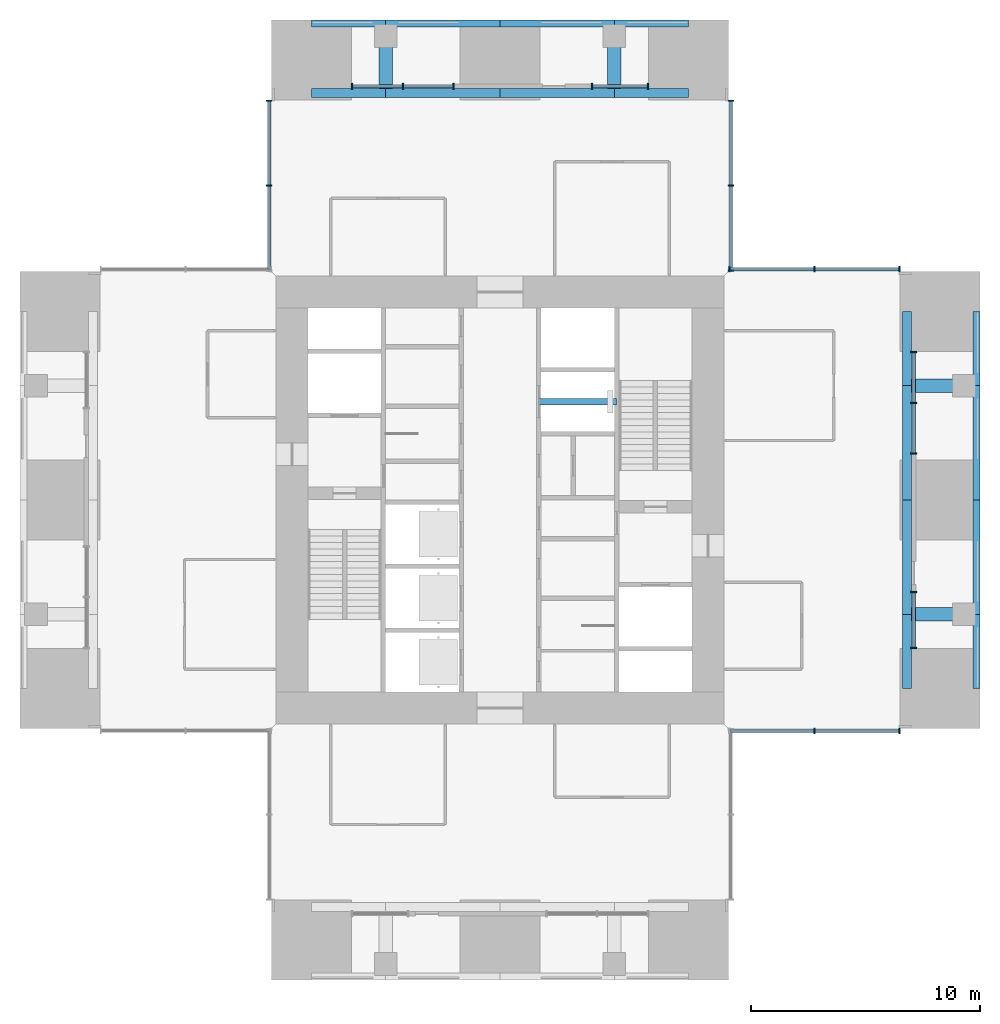
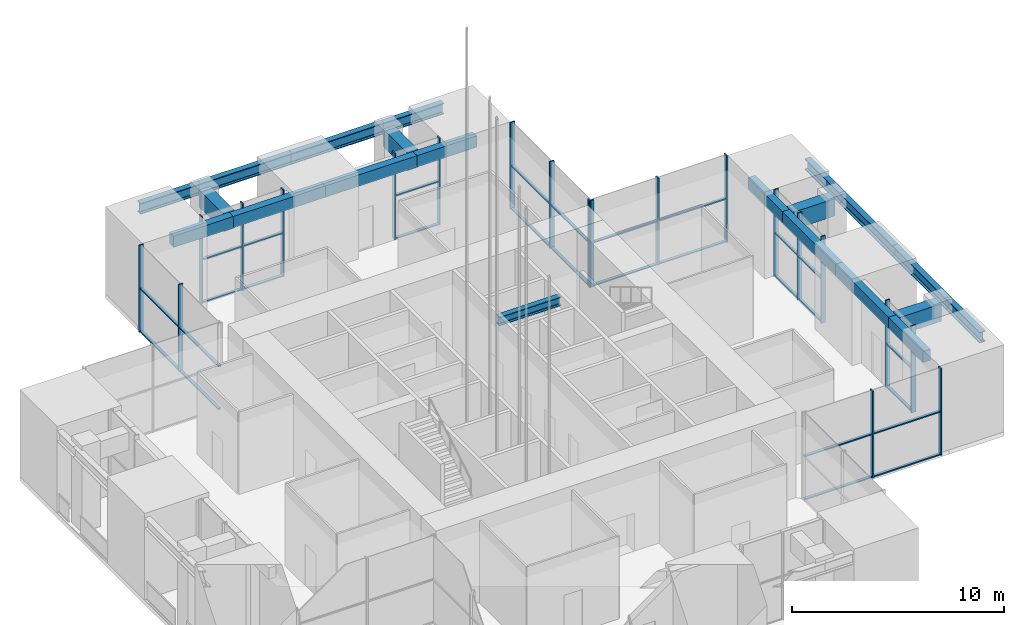
# One storey, part 3 of 17: 48 members, 21 beams, 8 elements without a shape of their own.
"""IFC4 building model written with IfcOpenShell, lengths in metres."""

from ifc_helpers import new_model, si_unit, direction, frame, origin, origin_2d, place, context, subcontext, project, spatial, rectangle, i_section, extrude, material, material_profile, profile_set, type_object, element, aggregate, save


model = new_model("IFC4")

# Units and contexts
model_context = context("Model", 3, precision=1e-05, world=origin(), true_north=direction((0.0, 1.0)))
body_context = subcontext(model_context, "Body", "Model", "MODEL_VIEW")
ifc_project = project(units=[si_unit("LENGTHUNIT", "METRE"), si_unit("AREAUNIT", "SQUARE_METRE"), si_unit("VOLUMEUNIT", "CUBIC_METRE"), si_unit("PLANEANGLEUNIT", "RADIAN"), si_unit("MASSUNIT", "GRAM", prefix="KILO")], contexts=[model_context])

# Site, building, storey
site_placement = place(None, origin())
site = spatial("IfcSite", under=ifc_project, at=site_placement, CompositionType="ELEMENT")
building_placement = place(site_placement, origin())
building = spatial("IfcBuilding", under=site, at=building_placement, Name="Svetlomir Tower", CompositionType="ELEMENT")
storey_placement = place(building_placement, frame((0.0, 0.0, 165.5)))
storey = spatial("IfcBuildingStorey", under=building, at=storey_placement, Name="L39", CompositionType="ELEMENT", Elevation=165.5)

# Curtain wall, members
ifc_material_1 = material(Name="Bronze anodised aluminium curtain wall", Category="aluminium")
curtain_wall_type = type_object("IfcCurtainWallType", Name="CURTAIN WALL CW2 SKY LOBBY", PredefinedType="NOTDEFINED", material=ifc_material_1)
curtain_wall_1_placement = place(storey_placement, origin())
curtain_wall_1 = element("IfcCurtainWall", 1, at=curtain_wall_1_placement, inside=storey, type_object=curtain_wall_type, Name="Curtain wall CW2 L39", PredefinedType="NOTDEFINED")
ifc_material_2 = material(Name="Bronze anodised aluminium", Category="aluminium")
ifc_material_profile_1 = material_profile(ifc_material_2, rectangle(XDim=0.06494140625, YDim=0.25, at=origin_2d()), Name="AL 65x250")
ifc_profile_set_1 = profile_set([ifc_material_profile_1], Name="Bronze anodised aluminium 6063-T6")
member_type_1 = type_object("IfcMemberType", Name="CW2 MULLION 65x250", PredefinedType="MULLION", material=ifc_profile_set_1)
member_1_placement = place(storey_placement, frame((34.75, 10.89990234375, 0.0), z_axis=(0.0, 0.0, 1.0), x_axis=(1.0, 0.0, 0.0)))
member_1 = element("IfcMember", 2, at=member_1_placement, type_object=member_type_1, Name="CW2 mullion 2", PredefinedType="MULLION", context=body_context, shape_type="SweptSolid", body=[
    extrude(rectangle(XDim=0.06494140625, YDim=0.25, at=origin_2d()), origin(), (0.0, 0.0, 1.0), 5.0),
])
member_2_placement = place(storey_placement, frame((38.467529296875, 10.89990234375, 0.0), z_axis=(0.0, 0.0, 1.0), x_axis=(1.0, 0.0, 0.0)))
member_2 = element("IfcMember", 3, at=member_2_placement, type_object=member_type_1, Name="CW2 mullion 3", PredefinedType="MULLION", context=body_context, shape_type="SweptSolid", body=[
    extrude(rectangle(XDim=0.06494140625, YDim=0.25, at=origin_2d()), origin(), (0.0, 0.0, 1.0), 5.0),
])

curtain_wall_2_placement = place(storey_placement, origin())
curtain_wall_2 = element("IfcCurtainWall", 4, at=curtain_wall_2_placement, inside=storey, type_object=curtain_wall_type, Name="Curtain wall CW2 L39", PredefinedType="NOTDEFINED")
member_3_placement = place(storey_placement, frame((39.10009765625, 14.532470703125, 0.0), z_axis=(0.0, 0.0, 1.0), x_axis=(0.0, 1.0, 0.0)))
member_3 = element("IfcMember", 5, at=member_3_placement, type_object=member_type_1, Name="CW2 mullion 1", PredefinedType="MULLION", context=body_context, shape_type="SweptSolid", body=[
    extrude(rectangle(XDim=0.06494140625, YDim=0.25, at=origin_2d()), origin(), (0.0, 0.0, 1.0), 5.0),
])
member_4_placement = place(storey_placement, frame((39.10009765625, 16.967529296875, 0.0), z_axis=(0.0, 0.0, 1.0), x_axis=(0.0, 1.0, 0.0)))
member_4 = element("IfcMember", 6, at=member_4_placement, type_object=member_type_1, Name="CW2 mullion 2", PredefinedType="MULLION", context=body_context, shape_type="SweptSolid", body=[
    extrude(rectangle(XDim=0.06494140625, YDim=0.25, at=origin_2d()), origin(), (0.0, 0.0, 1.0), 5.0),
])

curtain_wall_3_placement = place(storey_placement, origin())
curtain_wall_3 = element("IfcCurtainWall", 7, at=curtain_wall_3_placement, inside=storey, type_object=curtain_wall_type, Name="Curtain wall CW2 L39", PredefinedType="NOTDEFINED")
member_5_placement = place(storey_placement, frame((39.10009765625, 23.032470703125, 0.0), z_axis=(0.0, 0.0, 1.0), x_axis=(0.0, 1.0, 0.0)))
member_5 = element("IfcMember", 8, at=member_5_placement, type_object=member_type_1, Name="CW2 mullion 1", PredefinedType="MULLION", context=body_context, shape_type="SweptSolid", body=[
    extrude(rectangle(XDim=0.06494140625, YDim=0.25, at=origin_2d()), origin(), (0.0, 0.0, 1.0), 5.0),
])
member_6_placement = place(storey_placement, frame((39.10009765625, 25.25, 0.0), z_axis=(0.0, 0.0, 1.0), x_axis=(0.0, 1.0, 0.0)))
member_6 = element("IfcMember", 9, at=member_6_placement, type_object=member_type_1, Name="CW2 mullion 2", PredefinedType="MULLION", context=body_context, shape_type="SweptSolid", body=[
    extrude(rectangle(XDim=0.06494140625, YDim=0.25, at=origin_2d()), origin(), (0.0, 0.0, 1.0), 5.0),
])
member_7_placement = place(storey_placement, frame((39.10009765625, 27.467529296875, 0.0), z_axis=(0.0, 0.0, 1.0), x_axis=(0.0, 1.0, 0.0)))
member_7 = element("IfcMember", 10, at=member_7_placement, type_object=member_type_1, Name="CW2 mullion 3", PredefinedType="MULLION", context=body_context, shape_type="SweptSolid", body=[
    extrude(rectangle(XDim=0.06494140625, YDim=0.25, at=origin_2d()), origin(), (0.0, 0.0, 1.0), 5.0),
])

curtain_wall_4_placement = place(storey_placement, origin())
curtain_wall_4 = element("IfcCurtainWall", 11, at=curtain_wall_4_placement, inside=storey, type_object=curtain_wall_type, Name="Curtain wall CW2 L39", PredefinedType="NOTDEFINED")
member_8_placement = place(storey_placement, frame((38.467529296875, 31.10009765625, 0.0), z_axis=(0.0, 0.0, 1.0), x_axis=(-1.0, 0.0, 0.0)))
member_8 = element("IfcMember", 12, at=member_8_placement, type_object=member_type_1, Name="CW2 mullion 1", PredefinedType="MULLION", context=body_context, shape_type="SweptSolid", body=[
    extrude(rectangle(XDim=0.06494140625, YDim=0.25, at=origin_2d()), origin(), (0.0, 0.0, 1.0), 5.0),
])
member_9_placement = place(storey_placement, frame((34.75, 31.10009765625, 0.0), z_axis=(0.0, 0.0, 1.0), x_axis=(-1.0, 0.0, 0.0)))
member_9 = element("IfcMember", 13, at=member_9_placement, type_object=member_type_1, Name="CW2 mullion 2", PredefinedType="MULLION", context=body_context, shape_type="SweptSolid", body=[
    extrude(rectangle(XDim=0.06494140625, YDim=0.25, at=origin_2d()), origin(), (0.0, 0.0, 1.0), 5.0),
])
member_10_placement = place(storey_placement, frame((31.032470703125, 31.10009765625, 0.0), z_axis=(0.0, 0.0, 1.0), x_axis=(-1.0, 0.0, 0.0)))
member_10 = element("IfcMember", 14, at=member_10_placement, type_object=member_type_1, Name="CW2 mullion 3", PredefinedType="MULLION", context=body_context, shape_type="SweptSolid", body=[
    extrude(rectangle(XDim=0.06494140625, YDim=0.25, at=origin_2d()), origin(), (0.0, 0.0, 1.0), 5.0),
])

curtain_wall_5_placement = place(storey_placement, origin())
curtain_wall_5 = element("IfcCurtainWall", 15, at=curtain_wall_5_placement, inside=storey, type_object=curtain_wall_type, Name="Curtain wall CW2 L39", PredefinedType="NOTDEFINED")
member_11_placement = place(storey_placement, frame((31.10009765625, 31.032470703125, 0.0), z_axis=(0.0, 0.0, 1.0), x_axis=(0.0, 1.0, 0.0)))
member_11 = element("IfcMember", 16, at=member_11_placement, type_object=member_type_1, Name="CW2 mullion 1", PredefinedType="MULLION", context=body_context, shape_type="SweptSolid", body=[
    extrude(rectangle(XDim=0.06494140625, YDim=0.25, at=origin_2d()), origin(), (0.0, 0.0, 1.0), 5.0),
])
member_12_placement = place(storey_placement, frame((31.10009765625, 34.75, 0.0), z_axis=(0.0, 0.0, 1.0), x_axis=(0.0, 1.0, 0.0)))
member_12 = element("IfcMember", 17, at=member_12_placement, type_object=member_type_1, Name="CW2 mullion 2", PredefinedType="MULLION", context=body_context, shape_type="SweptSolid", body=[
    extrude(rectangle(XDim=0.06494140625, YDim=0.25, at=origin_2d()), origin(), (0.0, 0.0, 1.0), 5.0),
])
member_13_placement = place(storey_placement, frame((31.10009765625, 38.467529296875, 0.0), z_axis=(0.0, 0.0, 1.0), x_axis=(0.0, 1.0, 0.0)))
member_13 = element("IfcMember", 18, at=member_13_placement, type_object=member_type_1, Name="CW2 mullion 3", PredefinedType="MULLION", context=body_context, shape_type="SweptSolid", body=[
    extrude(rectangle(XDim=0.06494140625, YDim=0.25, at=origin_2d()), origin(), (0.0, 0.0, 1.0), 5.0),
])

curtain_wall_6_placement = place(storey_placement, origin())
curtain_wall_6 = element("IfcCurtainWall", 19, at=curtain_wall_6_placement, inside=storey, type_object=curtain_wall_type, Name="Curtain wall CW2 L39", PredefinedType="NOTDEFINED")
member_14_placement = place(storey_placement, frame((27.467529296875, 39.10009765625, 0.0), z_axis=(0.0, 0.0, 1.0), x_axis=(-1.0, 0.0, 0.0)))
member_14 = element("IfcMember", 20, at=member_14_placement, type_object=member_type_1, Name="CW2 mullion 1", PredefinedType="MULLION", context=body_context, shape_type="SweptSolid", body=[
    extrude(rectangle(XDim=0.06494140625, YDim=0.25, at=origin_2d()), origin(), (0.0, 0.0, 1.0), 5.0),
])
member_15_placement = place(storey_placement, frame((25.032470703125, 39.10009765625, 0.0), z_axis=(0.0, 0.0, 1.0), x_axis=(-1.0, 0.0, 0.0)))
member_15 = element("IfcMember", 21, at=member_15_placement, type_object=member_type_1, Name="CW2 mullion 2", PredefinedType="MULLION", context=body_context, shape_type="SweptSolid", body=[
    extrude(rectangle(XDim=0.06494140625, YDim=0.25, at=origin_2d()), origin(), (0.0, 0.0, 1.0), 5.0),
])

curtain_wall_7_placement = place(storey_placement, origin())
curtain_wall_7 = element("IfcCurtainWall", 22, at=curtain_wall_7_placement, inside=storey, type_object=curtain_wall_type, Name="Curtain wall CW2 L39", PredefinedType="NOTDEFINED")
member_16_placement = place(storey_placement, frame((18.967529296875, 39.10009765625, 0.0), z_axis=(0.0, 0.0, 1.0), x_axis=(-1.0, 0.0, 0.0)))
member_16 = element("IfcMember", 23, at=member_16_placement, type_object=member_type_1, Name="CW2 mullion 1", PredefinedType="MULLION", context=body_context, shape_type="SweptSolid", body=[
    extrude(rectangle(XDim=0.06494140625, YDim=0.25, at=origin_2d()), origin(), (0.0, 0.0, 1.0), 5.0),
])
member_17_placement = place(storey_placement, frame((16.75, 39.10009765625, 0.0), z_axis=(0.0, 0.0, 1.0), x_axis=(-1.0, 0.0, 0.0)))
member_17 = element("IfcMember", 24, at=member_17_placement, type_object=member_type_1, Name="CW2 mullion 2", PredefinedType="MULLION", context=body_context, shape_type="SweptSolid", body=[
    extrude(rectangle(XDim=0.06494140625, YDim=0.25, at=origin_2d()), origin(), (0.0, 0.0, 1.0), 5.0),
])
member_18_placement = place(storey_placement, frame((14.532470703125, 39.10009765625, 0.0), z_axis=(0.0, 0.0, 1.0), x_axis=(-1.0, 0.0, 0.0)))
member_18 = element("IfcMember", 25, at=member_18_placement, type_object=member_type_1, Name="CW2 mullion 3", PredefinedType="MULLION", context=body_context, shape_type="SweptSolid", body=[
    extrude(rectangle(XDim=0.06494140625, YDim=0.25, at=origin_2d()), origin(), (0.0, 0.0, 1.0), 5.0),
])

curtain_wall_8_placement = place(storey_placement, origin())
curtain_wall_8 = element("IfcCurtainWall", 26, at=curtain_wall_8_placement, inside=storey, type_object=curtain_wall_type, Name="Curtain wall CW2 L39", PredefinedType="NOTDEFINED")
member_19_placement = place(storey_placement, frame((10.89990234375, 38.467529296875, 0.0), z_axis=(0.0, 0.0, 1.0), x_axis=(0.0, -1.0, 0.0)))
member_19 = element("IfcMember", 27, at=member_19_placement, type_object=member_type_1, Name="CW2 mullion 1", PredefinedType="MULLION", context=body_context, shape_type="SweptSolid", body=[
    extrude(rectangle(XDim=0.06494140625, YDim=0.25, at=origin_2d()), origin(), (0.0, 0.0, 1.0), 5.0),
])
member_20_placement = place(storey_placement, frame((10.89990234375, 34.75, 0.0), z_axis=(0.0, 0.0, 1.0), x_axis=(0.0, -1.0, 0.0)))
member_20 = element("IfcMember", 28, at=member_20_placement, type_object=member_type_1, Name="CW2 mullion 2", PredefinedType="MULLION", context=body_context, shape_type="SweptSolid", body=[
    extrude(rectangle(XDim=0.06494140625, YDim=0.25, at=origin_2d()), origin(), (0.0, 0.0, 1.0), 5.0),
])

# Member
ifc_material_3 = material(Name="Bronze anodised aluminium", Category="aluminium")
ifc_material_profile_2 = material_profile(ifc_material_3, rectangle(XDim=0.159912109375, YDim=0.06494140625, at=origin_2d()), Name="AL 160x65")
ifc_profile_set_2 = profile_set([ifc_material_profile_2], Name="Bronze anodised aluminium 6063-T6")
member_type_2 = type_object("IfcMemberType", Name="CW2 TRANSOM 65x160", PredefinedType="USERDEFINED", material=ifc_profile_set_2)
member_21_placement = place(storey_placement, frame((31.06494140625, 10.89990234375, 0.032470703125), z_axis=(1.0, 0.0, 0.0), x_axis=(0.0, 1.0, 0.0)))
member_21 = element("IfcMember", 29, at=member_21_placement, type_object=member_type_2, Name="CW2 transom 1.1", ObjectType="TRANSOM", PredefinedType="USERDEFINED", context=body_context, shape_type="SweptSolid", body=[
    extrude(rectangle(XDim=0.159912109375, YDim=0.06494140625, at=origin_2d()), origin(), (0.0, 0.0, 1.0), 3.652587890625),
])

member_22_placement = place(storey_placement, frame((31.06494140625, 10.89990234375, 2.5), z_axis=(1.0, 0.0, 0.0), x_axis=(0.0, 1.0, 0.0)))
member_22 = element("IfcMember", 30, at=member_22_placement, type_object=member_type_2, Name="CW2 transom 1.2", ObjectType="TRANSOM", PredefinedType="USERDEFINED", context=body_context, shape_type="SweptSolid", body=[
    extrude(rectangle(XDim=0.159912109375, YDim=0.06494140625, at=origin_2d()), origin(), (0.0, 0.0, 1.0), 3.652587890625),
])

member_23_placement = place(storey_placement, frame((34.782470703125, 10.89990234375, 0.032470703125), z_axis=(1.0, 0.0, 0.0), x_axis=(0.0, 1.0, 0.0)))
member_23 = element("IfcMember", 31, at=member_23_placement, type_object=member_type_2, Name="CW2 transom 2.1", ObjectType="TRANSOM", PredefinedType="USERDEFINED", context=body_context, shape_type="SweptSolid", body=[
    extrude(rectangle(XDim=0.159912109375, YDim=0.06494140625, at=origin_2d()), origin(), (0.0, 0.0, 1.0), 3.652587890625),
])

member_24_placement = place(storey_placement, frame((34.782470703125, 10.89990234375, 2.5), z_axis=(1.0, 0.0, 0.0), x_axis=(0.0, 1.0, 0.0)))
member_24 = element("IfcMember", 32, at=member_24_placement, type_object=member_type_2, Name="CW2 transom 2.2", ObjectType="TRANSOM", PredefinedType="USERDEFINED", context=body_context, shape_type="SweptSolid", body=[
    extrude(rectangle(XDim=0.159912109375, YDim=0.06494140625, at=origin_2d()), origin(), (0.0, 0.0, 1.0), 3.652587890625),
])

aggregate(curtain_wall_1, [member_1, member_2, member_21, member_22, member_23, member_24])

member_25_placement = place(storey_placement, frame((39.10009765625, 14.56494140625, 0.032470703125), z_axis=(0.0, 1.0, 0.0), x_axis=(-1.0, 0.0, 0.0)))
member_25 = element("IfcMember", 33, at=member_25_placement, type_object=member_type_2, Name="CW2 transom 1.1", ObjectType="TRANSOM", PredefinedType="USERDEFINED", context=body_context, shape_type="SweptSolid", body=[
    extrude(rectangle(XDim=0.159912109375, YDim=0.06494140625, at=origin_2d()), origin(), (0.0, 0.0, 1.0), 2.3701171875),
])

member_26_placement = place(storey_placement, frame((39.10009765625, 14.56494140625, 2.5), z_axis=(0.0, 1.0, 0.0), x_axis=(-1.0, 0.0, 0.0)))
member_26 = element("IfcMember", 34, at=member_26_placement, type_object=member_type_2, Name="CW2 transom 1.2", ObjectType="TRANSOM", PredefinedType="USERDEFINED", context=body_context, shape_type="SweptSolid", body=[
    extrude(rectangle(XDim=0.159912109375, YDim=0.06494140625, at=origin_2d()), origin(), (0.0, 0.0, 1.0), 2.3701171875),
])

aggregate(curtain_wall_2, [member_3, member_4, member_25, member_26])

member_27_placement = place(storey_placement, frame((39.10009765625, 23.06494140625, 0.032470703125), z_axis=(0.0, 1.0, 0.0), x_axis=(-1.0, 0.0, 0.0)))
member_27 = element("IfcMember", 35, at=member_27_placement, type_object=member_type_2, Name="CW2 transom 1.1", ObjectType="TRANSOM", PredefinedType="USERDEFINED", context=body_context, shape_type="SweptSolid", body=[
    extrude(rectangle(XDim=0.159912109375, YDim=0.06494140625, at=origin_2d()), origin(), (0.0, 0.0, 1.0), 2.152587890625),
])

member_28_placement = place(storey_placement, frame((39.10009765625, 23.06494140625, 2.5), z_axis=(0.0, 1.0, 0.0), x_axis=(-1.0, 0.0, 0.0)))
member_28 = element("IfcMember", 36, at=member_28_placement, type_object=member_type_2, Name="CW2 transom 1.2", ObjectType="TRANSOM", PredefinedType="USERDEFINED", context=body_context, shape_type="SweptSolid", body=[
    extrude(rectangle(XDim=0.159912109375, YDim=0.06494140625, at=origin_2d()), origin(), (0.0, 0.0, 1.0), 2.152587890625),
])

member_29_placement = place(storey_placement, frame((39.10009765625, 25.282470703125, 0.032470703125), z_axis=(0.0, 1.0, 0.0), x_axis=(-1.0, 0.0, 0.0)))
member_29 = element("IfcMember", 37, at=member_29_placement, type_object=member_type_2, Name="CW2 transom 2.1", ObjectType="TRANSOM", PredefinedType="USERDEFINED", context=body_context, shape_type="SweptSolid", body=[
    extrude(rectangle(XDim=0.159912109375, YDim=0.06494140625, at=origin_2d()), origin(), (0.0, 0.0, 1.0), 2.152587890625),
])

member_30_placement = place(storey_placement, frame((39.10009765625, 25.282470703125, 2.5), z_axis=(0.0, 1.0, 0.0), x_axis=(-1.0, 0.0, 0.0)))
member_30 = element("IfcMember", 38, at=member_30_placement, type_object=member_type_2, Name="CW2 transom 2.2", ObjectType="TRANSOM", PredefinedType="USERDEFINED", context=body_context, shape_type="SweptSolid", body=[
    extrude(rectangle(XDim=0.159912109375, YDim=0.06494140625, at=origin_2d()), origin(), (0.0, 0.0, 1.0), 2.152587890625),
])

aggregate(curtain_wall_3, [member_5, member_6, member_7, member_27, member_28, member_29, member_30])

member_31_placement = place(storey_placement, frame((38.43505859375, 31.10009765625, 0.032470703125), z_axis=(-1.0, 0.0, 0.0), x_axis=(0.0, -1.0, 0.0)))
member_31 = element("IfcMember", 39, at=member_31_placement, type_object=member_type_2, Name="CW2 transom 1.1", ObjectType="TRANSOM", PredefinedType="USERDEFINED", context=body_context, shape_type="SweptSolid", body=[
    extrude(rectangle(XDim=0.159912109375, YDim=0.06494140625, at=origin_2d()), origin(), (0.0, 0.0, 1.0), 3.652587890625),
])

member_32_placement = place(storey_placement, frame((38.43505859375, 31.10009765625, 2.5), z_axis=(-1.0, 0.0, 0.0), x_axis=(0.0, -1.0, 0.0)))
member_32 = element("IfcMember", 40, at=member_32_placement, type_object=member_type_2, Name="CW2 transom 1.2", ObjectType="TRANSOM", PredefinedType="USERDEFINED", context=body_context, shape_type="SweptSolid", body=[
    extrude(rectangle(XDim=0.159912109375, YDim=0.06494140625, at=origin_2d()), origin(), (0.0, 0.0, 1.0), 3.652587890625),
])

member_33_placement = place(storey_placement, frame((34.717529296875, 31.10009765625, 0.032470703125), z_axis=(-1.0, 0.0, 0.0), x_axis=(0.0, -1.0, 0.0)))
member_33 = element("IfcMember", 41, at=member_33_placement, type_object=member_type_2, Name="CW2 transom 2.1", ObjectType="TRANSOM", PredefinedType="USERDEFINED", context=body_context, shape_type="SweptSolid", body=[
    extrude(rectangle(XDim=0.159912109375, YDim=0.06494140625, at=origin_2d()), origin(), (0.0, 0.0, 1.0), 3.652587890625),
])

member_34_placement = place(storey_placement, frame((34.717529296875, 31.10009765625, 2.5), z_axis=(-1.0, 0.0, 0.0), x_axis=(0.0, -1.0, 0.0)))
member_34 = element("IfcMember", 42, at=member_34_placement, type_object=member_type_2, Name="CW2 transom 2.2", ObjectType="TRANSOM", PredefinedType="USERDEFINED", context=body_context, shape_type="SweptSolid", body=[
    extrude(rectangle(XDim=0.159912109375, YDim=0.06494140625, at=origin_2d()), origin(), (0.0, 0.0, 1.0), 3.652587890625),
])

aggregate(curtain_wall_4, [member_8, member_9, member_10, member_31, member_32, member_33, member_34])

member_35_placement = place(storey_placement, frame((31.10009765625, 31.06494140625, 0.032470703125), z_axis=(0.0, 1.0, 0.0), x_axis=(-1.0, 0.0, 0.0)))
member_35 = element("IfcMember", 43, at=member_35_placement, type_object=member_type_2, Name="CW2 transom 1.1", ObjectType="TRANSOM", PredefinedType="USERDEFINED", context=body_context, shape_type="SweptSolid", body=[
    extrude(rectangle(XDim=0.159912109375, YDim=0.06494140625, at=origin_2d()), origin(), (0.0, 0.0, 1.0), 3.652587890625),
])

member_36_placement = place(storey_placement, frame((31.10009765625, 31.06494140625, 2.5), z_axis=(0.0, 1.0, 0.0), x_axis=(-1.0, 0.0, 0.0)))
member_36 = element("IfcMember", 44, at=member_36_placement, type_object=member_type_2, Name="CW2 transom 1.2", ObjectType="TRANSOM", PredefinedType="USERDEFINED", context=body_context, shape_type="SweptSolid", body=[
    extrude(rectangle(XDim=0.159912109375, YDim=0.06494140625, at=origin_2d()), origin(), (0.0, 0.0, 1.0), 3.652587890625),
])

member_37_placement = place(storey_placement, frame((31.10009765625, 34.782470703125, 0.032470703125), z_axis=(0.0, 1.0, 0.0), x_axis=(-1.0, 0.0, 0.0)))
member_37 = element("IfcMember", 45, at=member_37_placement, type_object=member_type_2, Name="CW2 transom 2.1", ObjectType="TRANSOM", PredefinedType="USERDEFINED", context=body_context, shape_type="SweptSolid", body=[
    extrude(rectangle(XDim=0.159912109375, YDim=0.06494140625, at=origin_2d()), origin(), (0.0, 0.0, 1.0), 3.652587890625),
])

member_38_placement = place(storey_placement, frame((31.10009765625, 34.782470703125, 2.5), z_axis=(0.0, 1.0, 0.0), x_axis=(-1.0, 0.0, 0.0)))
member_38 = element("IfcMember", 46, at=member_38_placement, type_object=member_type_2, Name="CW2 transom 2.2", ObjectType="TRANSOM", PredefinedType="USERDEFINED", context=body_context, shape_type="SweptSolid", body=[
    extrude(rectangle(XDim=0.159912109375, YDim=0.06494140625, at=origin_2d()), origin(), (0.0, 0.0, 1.0), 3.652587890625),
])

aggregate(curtain_wall_5, [member_11, member_12, member_13, member_35, member_36, member_37, member_38])

member_39_placement = place(storey_placement, frame((27.43505859375, 39.10009765625, 0.032470703125), z_axis=(-1.0, 0.0, 0.0), x_axis=(0.0, -1.0, 0.0)))
member_39 = element("IfcMember", 47, at=member_39_placement, type_object=member_type_2, Name="CW2 transom 1.1", ObjectType="TRANSOM", PredefinedType="USERDEFINED", context=body_context, shape_type="SweptSolid", body=[
    extrude(rectangle(XDim=0.159912109375, YDim=0.06494140625, at=origin_2d()), origin(), (0.0, 0.0, 1.0), 2.3701171875),
])

member_40_placement = place(storey_placement, frame((27.43505859375, 39.10009765625, 2.5), z_axis=(-1.0, 0.0, 0.0), x_axis=(0.0, -1.0, 0.0)))
member_40 = element("IfcMember", 48, at=member_40_placement, type_object=member_type_2, Name="CW2 transom 1.2", ObjectType="TRANSOM", PredefinedType="USERDEFINED", context=body_context, shape_type="SweptSolid", body=[
    extrude(rectangle(XDim=0.159912109375, YDim=0.06494140625, at=origin_2d()), origin(), (0.0, 0.0, 1.0), 2.3701171875),
])

aggregate(curtain_wall_6, [member_14, member_15, member_39, member_40])

member_41_placement = place(storey_placement, frame((18.93505859375, 39.10009765625, 0.032470703125), z_axis=(-1.0, 0.0, 0.0), x_axis=(0.0, -1.0, 0.0)))
member_41 = element("IfcMember", 49, at=member_41_placement, type_object=member_type_2, Name="CW2 transom 1.1", ObjectType="TRANSOM", PredefinedType="USERDEFINED", context=body_context, shape_type="SweptSolid", body=[
    extrude(rectangle(XDim=0.159912109375, YDim=0.06494140625, at=origin_2d()), origin(), (0.0, 0.0, 1.0), 2.152587890625),
])

member_42_placement = place(storey_placement, frame((18.93505859375, 39.10009765625, 2.5), z_axis=(-1.0, 0.0, 0.0), x_axis=(0.0, -1.0, 0.0)))
member_42 = element("IfcMember", 50, at=member_42_placement, type_object=member_type_2, Name="CW2 transom 1.2", ObjectType="TRANSOM", PredefinedType="USERDEFINED", context=body_context, shape_type="SweptSolid", body=[
    extrude(rectangle(XDim=0.159912109375, YDim=0.06494140625, at=origin_2d()), origin(), (0.0, 0.0, 1.0), 2.152587890625),
])

member_43_placement = place(storey_placement, frame((16.717529296875, 39.10009765625, 0.032470703125), z_axis=(-1.0, 0.0, 0.0), x_axis=(0.0, -1.0, 0.0)))
member_43 = element("IfcMember", 51, at=member_43_placement, type_object=member_type_2, Name="CW2 transom 2.1", ObjectType="TRANSOM", PredefinedType="USERDEFINED", context=body_context, shape_type="SweptSolid", body=[
    extrude(rectangle(XDim=0.159912109375, YDim=0.06494140625, at=origin_2d()), origin(), (0.0, 0.0, 1.0), 2.152587890625),
])

member_44_placement = place(storey_placement, frame((16.717529296875, 39.10009765625, 2.5), z_axis=(-1.0, 0.0, 0.0), x_axis=(0.0, -1.0, 0.0)))
member_44 = element("IfcMember", 52, at=member_44_placement, type_object=member_type_2, Name="CW2 transom 2.2", ObjectType="TRANSOM", PredefinedType="USERDEFINED", context=body_context, shape_type="SweptSolid", body=[
    extrude(rectangle(XDim=0.159912109375, YDim=0.06494140625, at=origin_2d()), origin(), (0.0, 0.0, 1.0), 2.152587890625),
])

aggregate(curtain_wall_7, [member_16, member_17, member_18, member_41, member_42, member_43, member_44])

member_45_placement = place(storey_placement, frame((10.89990234375, 38.43505859375, 0.032470703125), z_axis=(0.0, -1.0, 0.0), x_axis=(1.0, 0.0, 0.0)))
member_45 = element("IfcMember", 53, at=member_45_placement, type_object=member_type_2, Name="CW2 transom 1.1", ObjectType="TRANSOM", PredefinedType="USERDEFINED", context=body_context, shape_type="SweptSolid", body=[
    extrude(rectangle(XDim=0.159912109375, YDim=0.06494140625, at=origin_2d()), origin(), (0.0, 0.0, 1.0), 3.652587890625),
])

member_46_placement = place(storey_placement, frame((10.89990234375, 38.43505859375, 2.5), z_axis=(0.0, -1.0, 0.0), x_axis=(1.0, 0.0, 0.0)))
member_46 = element("IfcMember", 54, at=member_46_placement, type_object=member_type_2, Name="CW2 transom 1.2", ObjectType="TRANSOM", PredefinedType="USERDEFINED", context=body_context, shape_type="SweptSolid", body=[
    extrude(rectangle(XDim=0.159912109375, YDim=0.06494140625, at=origin_2d()), origin(), (0.0, 0.0, 1.0), 3.652587890625),
])

member_47_placement = place(storey_placement, frame((10.89990234375, 34.717529296875, 0.032470703125), z_axis=(0.0, -1.0, 0.0), x_axis=(1.0, 0.0, 0.0)))
member_47 = element("IfcMember", 55, at=member_47_placement, type_object=member_type_2, Name="CW2 transom 2.1", ObjectType="TRANSOM", PredefinedType="USERDEFINED", context=body_context, shape_type="SweptSolid", body=[
    extrude(rectangle(XDim=0.159912109375, YDim=0.06494140625, at=origin_2d()), origin(), (0.0, 0.0, 1.0), 3.652587890625),
])

member_48_placement = place(storey_placement, frame((10.89990234375, 34.717529296875, 2.5), z_axis=(0.0, -1.0, 0.0), x_axis=(1.0, 0.0, 0.0)))
member_48 = element("IfcMember", 56, at=member_48_placement, type_object=member_type_2, Name="CW2 transom 2.2", ObjectType="TRANSOM", PredefinedType="USERDEFINED", context=body_context, shape_type="SweptSolid", body=[
    extrude(rectangle(XDim=0.159912109375, YDim=0.06494140625, at=origin_2d()), origin(), (0.0, 0.0, 1.0), 3.652587890625),
])

aggregate(curtain_wall_8, [member_19, member_20, member_45, member_46, member_47, member_48])

# Beams
ifc_material_4 = material(Name="Steel S355", Category="steel")
ifc_material_profile_3 = material_profile(ifc_material_4, i_section(OverallWidth=0.304931640625, OverallDepth=0.6201171875, WebThickness=0.02099609375, FlangeThickness=0.0400390625, FilletRadius=0.027099609375, at=origin_2d()), Name="HEM 600")
ifc_profile_set_3 = profile_set([ifc_material_profile_3], Name="Steel S355")
beam_type_1 = type_object("IfcBeamType", Name="EDGE BEAM HEM 600", PredefinedType="SPANDREL", material=ifc_profile_set_3)
for number, where, z_axis, x_axis, name in (
    (57, (41.847412109375, 12.75, 4.43994140625), (0.0, 1.0, 0.0), (-1.0, 0.0, 0.0), "Edge beam 42/11 to 42/16 under L40"),
    (58, (12.75, 41.847412109375, 4.43994140625), (1.0, 0.0, 0.0), (0.0, 1.0, 0.0), "Edge beam 11/42 to 16/42 under L40"),
):
    element("IfcBeam", number, at=place(storey_placement, frame(where, z_axis=z_axis, x_axis=x_axis)), inside=storey, type_object=beam_type_1, Name=name, PredefinedType="SPANDREL", context=body_context, shape_type="SweptSolid", body=[
        extrude(i_section(OverallWidth=0.304931640625, OverallDepth=0.6201171875, WebThickness=0.02099609375, FlangeThickness=0.0400390625, FilletRadius=0.027099609375, at=origin_2d()), origin(), (0.0, 0.0, 1.0), 3.25),
    ])
for number, where, z_axis, x_axis, name in (
    (59, (41.847412109375, 16.0, 4.43994140625), (0.0, 1.0, 0.0), (-1.0, 0.0, 0.0), "Edge beam 42/16 to 42/21 under L40"),
    (60, (16.0, 41.847412109375, 4.43994140625), (1.0, 0.0, 0.0), (0.0, 1.0, 0.0), "Edge beam 16/42 to 21/42 under L40"),
    (61, (41.847412109375, 21.0, 4.43994140625), (0.0, 1.0, 0.0), (-1.0, 0.0, 0.0), "Edge beam 42/21 to 42/26 under L40"),
    (62, (21.0, 41.847412109375, 4.43994140625), (1.0, 0.0, 0.0), (0.0, 1.0, 0.0), "Edge beam 21/42 to 26/42 under L40"),
):
    element("IfcBeam", number, at=place(storey_placement, frame(where, z_axis=z_axis, x_axis=x_axis)), inside=storey, type_object=beam_type_1, Name=name, PredefinedType="SPANDREL", context=body_context, shape_type="SweptSolid", body=[
        extrude(i_section(OverallWidth=0.304931640625, OverallDepth=0.6201171875, WebThickness=0.02099609375, FlangeThickness=0.0400390625, FilletRadius=0.027099609375, at=origin_2d()), origin(), (0.0, 0.0, 1.0), 5.0),
    ])
for number, where, z_axis, x_axis, name in (
    (63, (41.847412109375, 26.0, 4.43994140625), (0.0, 1.0, 0.0), (-1.0, 0.0, 0.0), "Edge beam 42/26 to 42/31 under L40"),
    (64, (26.0, 41.847412109375, 4.43994140625), (1.0, 0.0, 0.0), (0.0, 1.0, 0.0), "Edge beam 26/42 to 31/42 under L40"),
):
    element("IfcBeam", number, at=place(storey_placement, frame(where, z_axis=z_axis, x_axis=x_axis)), inside=storey, type_object=beam_type_1, Name=name, PredefinedType="SPANDREL", context=body_context, shape_type="SweptSolid", body=[
        extrude(i_section(OverallWidth=0.304931640625, OverallDepth=0.6201171875, WebThickness=0.02099609375, FlangeThickness=0.0400390625, FilletRadius=0.027099609375, at=origin_2d()), origin(), (0.0, 0.0, 1.0), 3.25),
    ])
ifc_material_5 = material(Name="Concrete C60/75", Category="concrete")
ifc_material_profile_4 = material_profile(ifc_material_5, rectangle(XDim=0.39990234375, YDim=0.64990234375, at=origin_2d()), Name="RC 400x650")
ifc_profile_set_4 = profile_set([ifc_material_profile_4], Name="Concrete C60/75")
beam_type_2 = type_object("IfcBeamType", Name="FACADE EDGE BEAM RC 400x650", PredefinedType="BEAM", material=ifc_profile_set_4)
beam_1_placement = place(storey_placement, frame((12.75, 38.800048828125, 4.425048828125), z_axis=(1.0, 0.0, 0.0), x_axis=(0.0, 1.0, 0.0)))
element("IfcBeam", 65, at=beam_1_placement, inside=storey, type_object=beam_type_2, Name="Facade edge beam N 11 to 16 under L40", PredefinedType="BEAM", context=body_context, shape_type="SweptSolid", body=[
    extrude(rectangle(XDim=0.39990234375, YDim=0.64990234375, at=origin_2d()), origin(), (0.0, 0.0, 1.0), 3.25),
])
for number, where, z_axis, x_axis, name in (
    (66, (16.0, 38.800048828125, 4.425048828125), (1.0, 0.0, 0.0), (0.0, 1.0, 0.0), "Facade edge beam N 16 to 21 under L40"),
    (67, (21.0, 38.800048828125, 4.425048828125), (1.0, 0.0, 0.0), (0.0, 1.0, 0.0), "Facade edge beam N 21 to 26 under L40"),
):
    element("IfcBeam", number, at=place(storey_placement, frame(where, z_axis=z_axis, x_axis=x_axis)), inside=storey, type_object=beam_type_2, Name=name, PredefinedType="BEAM", context=body_context, shape_type="SweptSolid", body=[
        extrude(rectangle(XDim=0.39990234375, YDim=0.64990234375, at=origin_2d()), origin(), (0.0, 0.0, 1.0), 5.0),
    ])
for number, where, z_axis, x_axis, name in (
    (68, (26.0, 38.800048828125, 4.425048828125), (1.0, 0.0, 0.0), (0.0, 1.0, 0.0), "Facade edge beam N 26 to 31 under L40"),
    (69, (38.800048828125, 12.75, 4.425048828125), (0.0, 1.0, 0.0), (-1.0, 0.0, 0.0), "Facade edge beam E 11 to 16 under L40"),
):
    element("IfcBeam", number, at=place(storey_placement, frame(where, z_axis=z_axis, x_axis=x_axis)), inside=storey, type_object=beam_type_2, Name=name, PredefinedType="BEAM", context=body_context, shape_type="SweptSolid", body=[
        extrude(rectangle(XDim=0.39990234375, YDim=0.64990234375, at=origin_2d()), origin(), (0.0, 0.0, 1.0), 3.25),
    ])
for number, where, z_axis, x_axis, name in (
    (70, (38.800048828125, 16.0, 4.425048828125), (0.0, 1.0, 0.0), (-1.0, 0.0, 0.0), "Facade edge beam E 16 to 21 under L40"),
    (71, (38.800048828125, 21.0, 4.425048828125), (0.0, 1.0, 0.0), (-1.0, 0.0, 0.0), "Facade edge beam E 21 to 26 under L40"),
):
    element("IfcBeam", number, at=place(storey_placement, frame(where, z_axis=z_axis, x_axis=x_axis)), inside=storey, type_object=beam_type_2, Name=name, PredefinedType="BEAM", context=body_context, shape_type="SweptSolid", body=[
        extrude(rectangle(XDim=0.39990234375, YDim=0.64990234375, at=origin_2d()), origin(), (0.0, 0.0, 1.0), 5.0),
    ])
beam_2_placement = place(storey_placement, frame((38.800048828125, 26.0, 4.425048828125), z_axis=(0.0, 1.0, 0.0), x_axis=(-1.0, 0.0, 0.0)))
element("IfcBeam", 72, at=beam_2_placement, inside=storey, type_object=beam_type_2, Name="Facade edge beam E 26 to 31 under L40", PredefinedType="BEAM", context=body_context, shape_type="SweptSolid", body=[
    extrude(rectangle(XDim=0.39990234375, YDim=0.64990234375, at=origin_2d()), origin(), (0.0, 0.0, 1.0), 3.25),
])
ifc_material_6 = material(Name="Steel S355", Category="steel")
ifc_material_profile_5 = material_profile(ifc_material_6, i_section(OverallWidth=0.300048828125, OverallDepth=0.5, WebThickness=0.014404296875, FlangeThickness=0.028076171875, FilletRadius=0.027099609375, at=origin_2d()), Name="HEB 500")
ifc_profile_set_5 = profile_set([ifc_material_profile_5], Name="Steel S355")
beam_type_3 = type_object("IfcBeamType", Name="LIFTING BEAM HEB 500", PredefinedType="BEAM", material=ifc_profile_set_5)
beam_3_placement = place(storey_placement, frame((22.699951171875, 25.300048828125, 4.5), z_axis=(1.0, 0.0, 0.0), x_axis=(0.0, 1.0, 0.0)))
element("IfcBeam", 73, at=beam_3_placement, inside=storey, type_object=beam_type_3, Name="Lifting beam over shaft BANK-E2", PredefinedType="BEAM", context=body_context, shape_type="SweptSolid", body=[
    extrude(i_section(OverallWidth=0.300048828125, OverallDepth=0.5, WebThickness=0.014404296875, FlangeThickness=0.028076171875, FilletRadius=0.027099609375, at=origin_2d()), origin(), (0.0, 0.0, 1.0), 3.400146484375),
])
ifc_material_7 = material(Name="Concrete C60/75", Category="concrete")
ifc_material_profile_6 = material_profile(ifc_material_7, rectangle(XDim=0.60009765625, YDim=1.0, at=origin_2d()), Name="RC 600x1000")
ifc_profile_set_6 = profile_set([ifc_material_profile_6], Name="Concrete C60/75")
beam_type_4 = type_object("IfcBeamType", Name="LOGGIA LINK BEAM RC 600x1000", PredefinedType="BEAM", material=ifc_profile_set_6)
for number, where, z_axis, x_axis, name in (
    (74, (16.0, 41.300048828125, 4.25), (0.0, -1.0, 0.0), (1.0, 0.0, 0.0), "Loggia link beam N 16 under L40"),
    (75, (26.0, 41.300048828125, 4.25), (0.0, -1.0, 0.0), (1.0, 0.0, 0.0), "Loggia link beam N 26 under L40"),
    (76, (41.300048828125, 16.0, 4.25), (-1.0, 0.0, 0.0), (0.0, -1.0, 0.0), "Loggia link beam E 16 under L40"),
    (77, (41.300048828125, 26.0, 4.25), (-1.0, 0.0, 0.0), (0.0, -1.0, 0.0), "Loggia link beam E 26 under L40"),
):
    element("IfcBeam", number, at=place(storey_placement, frame(where, z_axis=z_axis, x_axis=x_axis)), inside=storey, type_object=beam_type_4, Name=name, PredefinedType="BEAM", context=body_context, shape_type="SweptSolid", body=[
        extrude(rectangle(XDim=0.60009765625, YDim=1.0, at=origin_2d()), origin(), (0.0, 0.0, 1.0), 2.300048828125),
    ])

save(model, "model.ifc")
